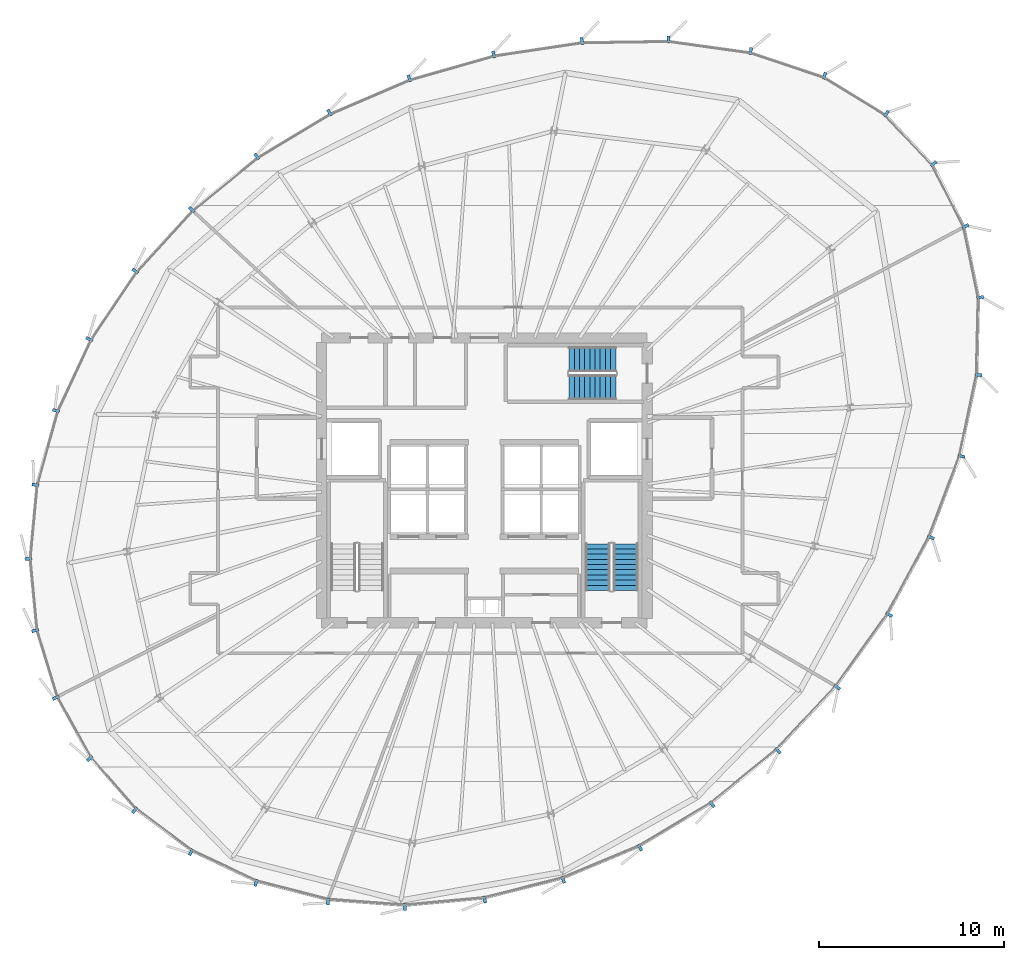
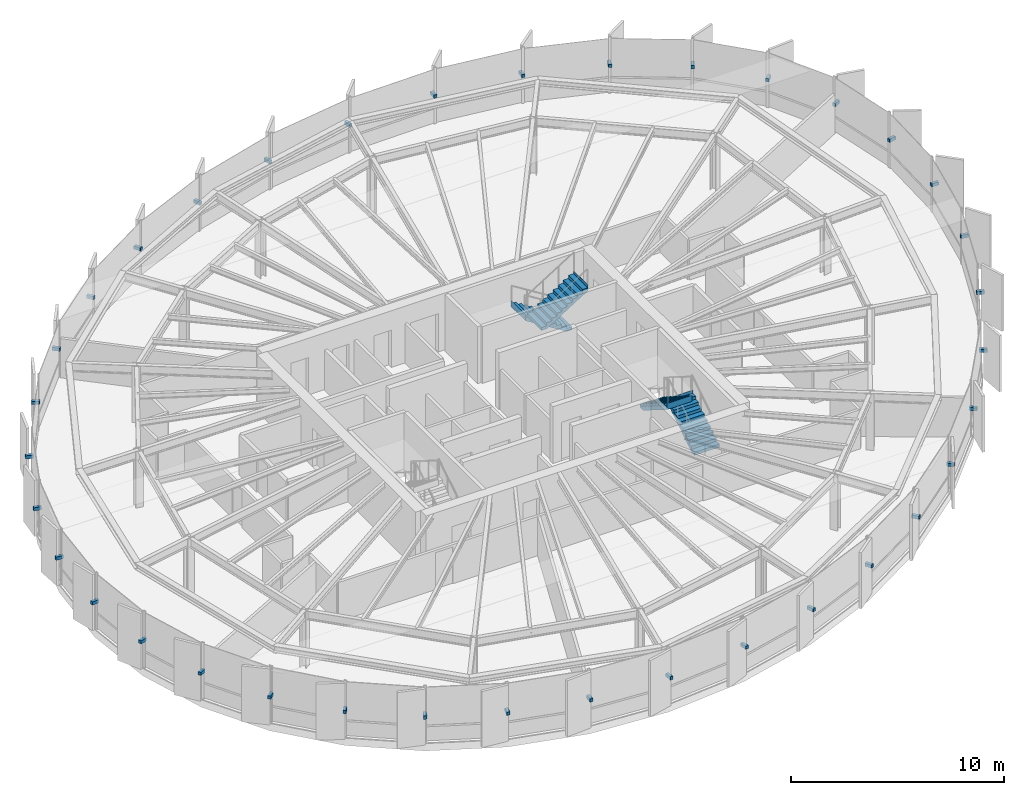
# One storey, part 32 of 36: 36 discrete accessories, 4 stair flights, 2 elements without a shape of their own.
"""IFC4 building model written with IfcOpenShell, lengths in metres."""

from ifc_helpers import new_model, si_unit, direction, frame, origin, origin_2d, place, context, subcontext, project, spatial, polyline, rectangle, outline, extrude, source, transform, mapped, material, type_object, element, aggregate, save


model = new_model("IFC4")

# Units and contexts
model_context = context("Model", 3, precision=1e-05, world=origin(), true_north=direction((0.0, 1.0)))
body_context = subcontext(model_context, "Body", "Model", "MODEL_VIEW")
ifc_project = project(units=[si_unit("LENGTHUNIT", "METRE"), si_unit("AREAUNIT", "SQUARE_METRE"), si_unit("VOLUMEUNIT", "CUBIC_METRE"), si_unit("PLANEANGLEUNIT", "RADIAN"), si_unit("MASSUNIT", "GRAM", prefix="KILO"), si_unit("THERMODYNAMICTEMPERATUREUNIT", "KELVIN")], contexts=[model_context])

# Site, building, storey
site_placement = place(None, origin())
site = spatial("IfcSite", under=ifc_project, at=site_placement, CompositionType="ELEMENT")
building_placement = place(site_placement, origin())
building = spatial("IfcBuilding", under=site, at=building_placement, Name="Kethvar Cultural Tower", CompositionType="ELEMENT")
storey_placement = place(building_placement, frame((0.0, 0.0, 176.39990234375)))
storey = spatial("IfcBuildingStorey", under=building, at=storey_placement, Name="L45", CompositionType="ELEMENT", Elevation=176.39990234375)

# Stair, stair flights
ifc_material_1 = material(Name="Concrete C40/50", Category="concrete")
stair_type = type_object("IfcStairType", Name="ST-DOGLEG-135", PredefinedType="HALF_TURN_STAIR", material=ifc_material_1)
stair_1_placement = place(storey_placement, origin())
stair_1 = element("IfcStair", 1, at=stair_1_placement, inside=storey, type_object=stair_type, Name="L45 Core Exit Stair 2", PredefinedType="HALF_TURN_STAIR")
stair_flight_type = type_object("IfcStairFlightType", Name="FL-STRAIGHT-135", PredefinedType="STRAIGHT", material=ifc_material_1)
stair_flight_1_placement = place(storey_placement, frame((54.43505859375, 21.85009765625, 0.0), z_axis=(0.0, 0.0, 1.0), x_axis=(0.0, 1.0, 0.0)))
stair_flight_1 = element("IfcStairFlight", 2, at=stair_flight_1_placement, type_object=stair_flight_type, Name="ST-02 flight 1", NumberOfRisers=10, NumberOfTreads=9, PredefinedType="STRAIGHT", RiserHeight=0.175, TreadLength=0.28, context=body_context, shape_type="SweptSolid", body=[
    extrude(outline(polyline([(-0.0009765625, -0.0009765625), (-0.0009765625, 0.175048828125), (0.280029296875, 0.175048828125), (0.280029296875, 0.35009765625), (0.56005859375, 0.35009765625), (0.56005859375, 0.52490234375), (0.840087890625, 0.52490234375), (0.840087890625, 0.699951171875), (1.1201171875, 0.699951171875), (1.1201171875, 0.875), (1.39990234375, 0.875), (1.39990234375, 1.050048828125), (1.679931640625, 1.050048828125), (1.679931640625, 1.22509765625), (1.9599609375, 1.22509765625), (1.9599609375, 1.39990234375), (2.239990234375, 1.39990234375), (2.239990234375, 1.574951171875), (2.52001953125, 1.574951171875), (2.52001953125, 1.75), (2.52099609375, 1.75), (2.52099609375, 1.398193359375), (0.28271484375, 0.0), (0.0, -0.0009765625), (-0.0009765625, -0.0009765625)])), frame((0.0, 0.675048828125, 0.0), z_axis=(0.0, -1.0, 0.0), x_axis=(1.0, 0.0, 0.0)), (0.0, 0.0, 1.0), 1.35009765625),
])
stair_flight_2_placement = place(storey_placement, frame((52.925048828125, 24.3701171875, 1.75), z_axis=(0.0, 0.0, 1.0), x_axis=(0.0, -1.0, 0.0)))
stair_flight_2 = element("IfcStairFlight", 3, at=stair_flight_2_placement, type_object=stair_flight_type, Name="ST-02 flight 2", NumberOfRisers=10, NumberOfTreads=9, PredefinedType="STRAIGHT", RiserHeight=0.175, TreadLength=0.28, context=body_context, shape_type="SweptSolid", body=[
    extrude(outline(polyline([(-0.0009765625, -0.0009765625), (-0.0009765625, 0.175048828125), (0.280029296875, 0.175048828125), (0.280029296875, 0.35009765625), (0.56005859375, 0.35009765625), (0.56005859375, 0.52490234375), (0.840087890625, 0.52490234375), (0.840087890625, 0.699951171875), (1.1201171875, 0.699951171875), (1.1201171875, 0.875), (1.39990234375, 0.875), (1.39990234375, 1.050048828125), (1.679931640625, 1.050048828125), (1.679931640625, 1.22509765625), (1.9599609375, 1.22509765625), (1.9599609375, 1.39990234375), (2.239990234375, 1.39990234375), (2.239990234375, 1.574951171875), (2.52001953125, 1.574951171875), (2.52001953125, 1.75), (2.52099609375, 1.75), (2.52099609375, 1.398193359375), (0.28271484375, 0.0), (0.0, -0.0009765625), (-0.0009765625, -0.0009765625)])), frame((0.0, 0.675048828125, 0.0), z_axis=(0.0, -1.0, 0.0), x_axis=(1.0, 0.0, 0.0)), (0.0, 0.0, 1.0), 1.35009765625),
])
aggregate(stair_1, [stair_flight_1, stair_flight_2])

stair_2_placement = place(storey_placement, origin())
stair_2 = element("IfcStair", 4, at=stair_2_placement, inside=storey, type_object=stair_type, Name="L45 Core Exit Stair 3", PredefinedType="HALF_TURN_STAIR")
stair_flight_3_placement = place(storey_placement, frame((53.89990234375, 34.3349609375, 0.0), z_axis=(0.0, 0.0, 1.0), x_axis=(-1.0, 0.0, 0.0)))
stair_flight_3 = element("IfcStairFlight", 5, at=stair_flight_3_placement, type_object=stair_flight_type, Name="ST-03 flight 1", NumberOfRisers=10, NumberOfTreads=9, PredefinedType="STRAIGHT", RiserHeight=0.175, TreadLength=0.28, context=body_context, shape_type="SweptSolid", body=[
    extrude(outline(polyline([(-0.0009765625, -0.0009765625), (-0.0009765625, 0.175048828125), (0.280029296875, 0.175048828125), (0.280029296875, 0.35009765625), (0.56005859375, 0.35009765625), (0.56005859375, 0.52490234375), (0.840087890625, 0.52490234375), (0.840087890625, 0.699951171875), (1.1201171875, 0.699951171875), (1.1201171875, 0.875), (1.39990234375, 0.875), (1.39990234375, 1.050048828125), (1.679931640625, 1.050048828125), (1.679931640625, 1.22509765625), (1.9599609375, 1.22509765625), (1.9599609375, 1.39990234375), (2.239990234375, 1.39990234375), (2.239990234375, 1.574951171875), (2.52001953125, 1.574951171875), (2.52001953125, 1.75), (2.52099609375, 1.75), (2.52099609375, 1.398193359375), (0.28271484375, 0.0), (0.0, -0.0009765625), (-0.0009765625, -0.0009765625)])), frame((0.0, 0.675048828125, 0.0), z_axis=(0.0, -1.0, 0.0), x_axis=(1.0, 0.0, 0.0)), (0.0, 0.0, 1.0), 1.35009765625),
])
stair_flight_4_placement = place(storey_placement, frame((51.3798828125, 32.824951171875, 1.75), z_axis=(0.0, 0.0, 1.0), x_axis=(1.0, 0.0, 0.0)))
stair_flight_4 = element("IfcStairFlight", 6, at=stair_flight_4_placement, type_object=stair_flight_type, Name="ST-03 flight 2", NumberOfRisers=10, NumberOfTreads=9, PredefinedType="STRAIGHT", RiserHeight=0.175, TreadLength=0.28, context=body_context, shape_type="SweptSolid", body=[
    extrude(outline(polyline([(-0.0009765625, -0.0009765625), (-0.0009765625, 0.175048828125), (0.280029296875, 0.175048828125), (0.280029296875, 0.35009765625), (0.56005859375, 0.35009765625), (0.56005859375, 0.52490234375), (0.840087890625, 0.52490234375), (0.840087890625, 0.699951171875), (1.1201171875, 0.699951171875), (1.1201171875, 0.875), (1.39990234375, 0.875), (1.39990234375, 1.050048828125), (1.679931640625, 1.050048828125), (1.679931640625, 1.22509765625), (1.9599609375, 1.22509765625), (1.9599609375, 1.39990234375), (2.239990234375, 1.39990234375), (2.239990234375, 1.574951171875), (2.52001953125, 1.574951171875), (2.52001953125, 1.75), (2.52099609375, 1.75), (2.52099609375, 1.398193359375), (0.28271484375, 0.0), (0.0, -0.0009765625), (-0.0009765625, -0.0009765625)])), frame((0.0, 0.675048828125, 0.0), z_axis=(0.0, -1.0, 0.0), x_axis=(1.0, 0.0, 0.0)), (0.0, 0.0, 1.0), 1.35009765625),
])
aggregate(stair_2, [stair_flight_3, stair_flight_4])

# Discrete accessories
ifc_material_2 = material(Name="Steel S355J2", Category="steel")
discrete_accessory_type = type_object("IfcDiscreteAccessoryType", Name="Steel Fin Bracket BRK-01", PredefinedType="BRACKET", material=ifc_material_2)
shared_shape = source(origin(), body_context, "Body", "SweptSolid", [
    extrude(rectangle(XDim=0.3798828125, YDim=0.159912109375, at=origin_2d()), origin(), (0.0, 0.0, 1.0), 0.179931640625),
])
for number, where, z_axis, x_axis, name in (
    (7, (71.076171875, 44.910400390625, 1.5400390625), (0.0, 0.0, 1.0), (0.72849054578, 0.685055855175, 0.0), "L45 Terracotta Fin Bracket 1.1"),
    (8, (68.52978515625, 47.6171875, 1.5400390625), (0.0, 0.0, 1.0), (0.522200905326, 0.85282249881, 0.0), "L45 Terracotta Fin Bracket 1.2"),
    (9, (65.179931640625, 49.66796875, 1.5400390625), (0.0, 0.0, 1.0), (0.317304656405, 0.948323655206, 0.0), "L45 Terracotta Fin Bracket 1.3"),
    (10, (61.1962890625, 51.0009765625, 1.5400390625), (0.0, 0.0, 1.0), (0.137963156715, 0.990437361669, 0.0), "L45 Terracotta Fin Bracket 1.4"),
    (11, (56.760986328125, 51.6181640625, 1.5400390625), (0.0, 0.0, 1.0), (-0.014834754474, 0.999889958975, 0.0), "L45 Terracotta Fin Bracket 1.5"),
    (12, (52.07470703125, 51.54833984375, 1.5400390625), (0.0, 0.0, 1.0), (-0.148845024885, 0.988860535448, 0.0), "L45 Terracotta Fin Bracket 1.6"),
    (13, (47.302490234375, 50.824951171875, 1.5400390625), (0.0, 0.0, 1.0), (-0.273119836863, 0.961980017834, 0.0), "L45 Terracotta Fin Bracket 2.1"),
    (14, (42.74072265625, 49.52978515625, 1.5400390625), (0.0, 0.0, 1.0), (-0.394583491055, 0.918860091955, 0.0), "L45 Terracotta Fin Bracket 2.2"),
    (15, (38.42529296875, 47.676513671875, 1.5400390625), (0.0, 0.0, 1.0), (-0.515636365015, 0.856807527438, 0.0), "L45 Terracotta Fin Bracket 2.3"),
    (16, (34.492919921875, 45.310302734375, 1.5400390625), (0.0, 0.0, 1.0), (-0.632029302665, 0.774944488704, 0.0), "L45 Terracotta Fin Bracket 2.4"),
    (17, (30.97119140625, 42.437744140625, 1.5400390625), (0.0, 0.0, 1.0), (-0.737159412846, 0.675718876495, 0.0), "L45 Terracotta Fin Bracket 2.5"),
    (18, (27.930419921875, 39.120361328125, 1.5400390625), (0.0, 0.0, 1.0), (-0.82923271719, 0.558903480703, 0.0), "L45 Terracotta Fin Bracket 2.6"),
    (19, (25.4462890625, 35.423828125, 1.5400390625), (0.0, 0.0, 1.0), (-0.906012522993, 0.423250880897, 0.0), "L45 Terracotta Fin Bracket 3.1"),
    (20, (23.643798828125, 31.565185546875, 1.5400390625), (0.0, 0.0, 1.0), (-0.963350073517, 0.268247340815, 0.0), "L45 Terracotta Fin Bracket 3.2"),
    (21, (22.52783203125, 27.556640625, 1.5400390625), (0.0, 0.0, 1.0), (-0.995561964603, 0.094108313319, 0.0), "L45 Terracotta Fin Bracket 3.3"),
    (22, (22.149658203125, 23.555419921875, 1.5400390625), (0.0, 0.0, 1.0), (-0.995446246637, -0.095324551175, 0.0), "L45 Terracotta Fin Bracket 3.4"),
    (23, (22.5205078125, 19.68310546875, 1.5400390625), (0.0, 0.0, 1.0), (-0.956304755963, -0.292371704723, 0.0), "L45 Terracotta Fin Bracket 3.5"),
    (24, (23.62939453125, 16.05712890625, 1.5400390625), (0.0, 0.0, 1.0), (-0.874535078577, -0.484962262797, 0.0), "L45 Terracotta Fin Bracket 3.6"),
    (25, (25.468017578125, 12.7587890625, 1.5400390625), (0.0, 0.0, 1.0), (-0.752529860433, -0.658558128912, 0.0), "L45 Terracotta Fin Bracket 4.1"),
    (26, (27.904052734375, 9.9755859375, 1.5400390625), (0.0, 0.0, 1.0), (-0.599023598516, -0.800731370949, 0.0), "L45 Terracotta Fin Bracket 4.2"),
    (27, (30.940185546875, 7.70458984375, 1.5400390625), (0.0, 0.0, 1.0), (-0.426884428311, -0.904306189775, 0.0), "L45 Terracotta Fin Bracket 4.3"),
    (28, (34.458251953125, 6.044189453125, 1.5400390625), (0.0, 0.0, 1.0), (-0.248689887165, -0.968583161129, 0.0), "L45 Terracotta Fin Bracket 4.4"),
    (29, (38.350830078125, 5.044921875, 1.5400390625), (0.0, 0.0, 1.0), (-0.073934436076, -0.997263104282, 0.0), "L45 Terracotta Fin Bracket 4.5"),
    (30, (42.500244140625, 4.7373046875, 1.5400390625), (0.0, 0.0, 1.0), (0.091327816524, -0.995820882453, 0.0), "L45 Terracotta Fin Bracket 4.6"),
    (31, (46.818115234375, 5.139892578125, 1.5400390625), (0.0, 0.0, 1.0), (0.244968970675, -0.969530919263, 0.0), "L45 Terracotta Fin Bracket 5.1"),
    (32, (51.060546875, 6.2119140625, 1.5400390625), (0.0, 0.0, 1.0), (0.386067049717, -0.922470722095, 0.0), "L45 Terracotta Fin Bracket 5.2"),
    (33, (55.211669921875, 7.94921875, 1.5400390625), (0.0, 0.0, 1.0), (0.51503807491, -0.857167300702, 0.0), "L45 Terracotta Fin Bracket 5.3"),
    (34, (59.107177734375, 10.289794921875, 1.5400390625), (0.0, 0.0, 1.0), (0.631488135373, -0.775385539511, 0.0), "L45 Terracotta Fin Bracket 5.4"),
    (35, (62.665771484375, 13.188232421875, 1.5400390625), (0.0, 0.0, 1.0), (0.730877398756, -0.682508775026, 0.0), "L45 Terracotta Fin Bracket 5.5"),
    (36, (65.870849609375, 16.62109375, 1.5400390625), (0.0, 0.0, 1.0), (0.812592453382, -0.582832312683, 0.0), "L45 Terracotta Fin Bracket 5.6"),
    (37, (68.676025390625, 20.54052734375, 1.5400390625), (0.0, 0.0, 1.0), (0.879980406813, -0.475009982659, 0.0), "L45 Terracotta Fin Bracket 6.1"),
    (38, (70.931884765625, 24.7197265625, 1.5400390625), (0.0, 0.0, 1.0), (0.935752139592, -0.352658380374, 0.0), "L45 Terracotta Fin Bracket 6.2"),
    (39, (72.584716796875, 29.10546875, 1.5400390625), (0.0, 0.0, 1.0), (0.978616819224, -0.205691811048, 0.0), "L45 Terracotta Fin Bracket 6.3"),
    (40, (73.506103515625, 33.48828125, 1.5400390625), (0.0, 0.0, 1.0), (0.999742609323, -0.022687333573, 0.0), "L45 Terracotta Fin Bracket 6.4"),
    (41, (73.600830078125, 37.68798828125, 1.5400390625), (0.0, 0.0, 1.0), (0.979328855567, 0.202274547718, 0.0), "L45 Terracotta Fin Bracket 6.5"),
    (42, (72.8056640625, 41.534912109375, 1.5400390625), (0.0, 0.0, 1.0), (0.891323252189, 0.453368349255, 0.0), "L45 Terracotta Fin Bracket 6.6"),
):
    element("IfcDiscreteAccessory", number, at=place(storey_placement, frame(where, z_axis=z_axis, x_axis=x_axis)), inside=storey, type_object=discrete_accessory_type, Name=name, PredefinedType="BRACKET", context=body_context, shape_type="MappedRepresentation", body=[
        mapped(shared_shape, transform((0.0, 0.0, 0.0), scale=1.0)),
    ])

save(model, "model.ifc")
